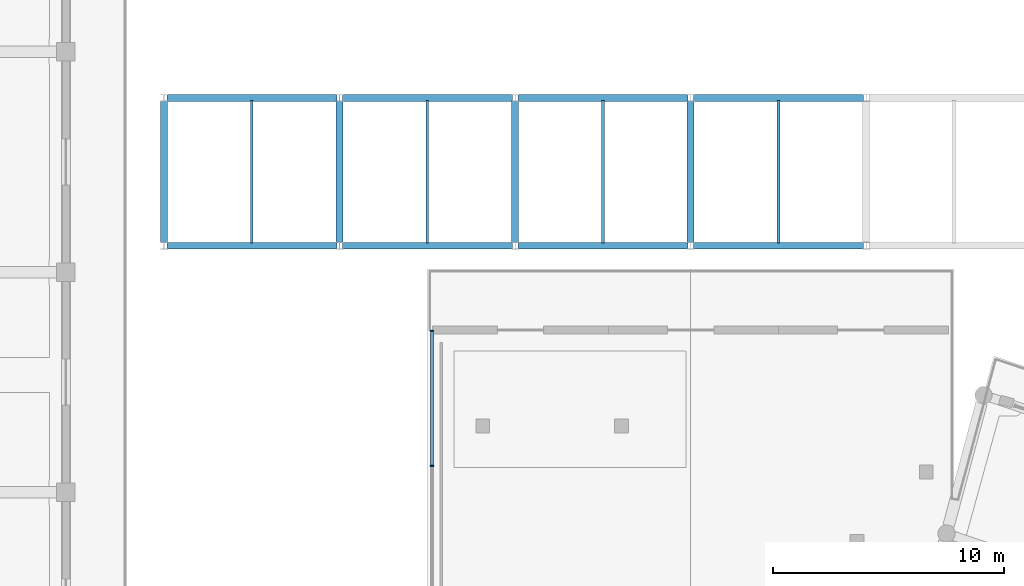
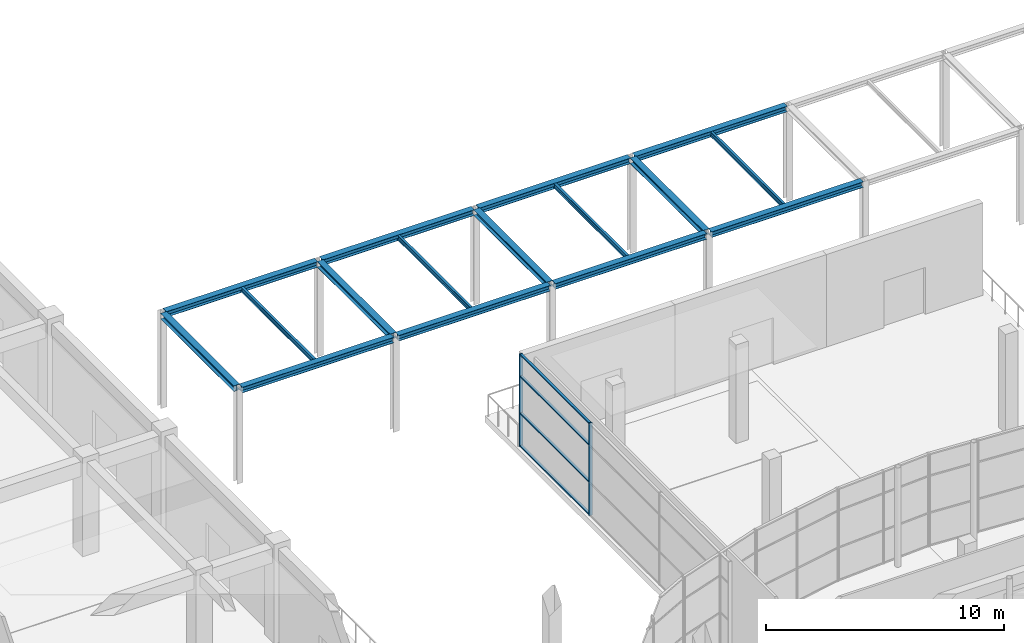
# One storey, part 51 of 99: 16 beams, 6 members, 1 element without a shape of its own.
"""IFC4 building model written with IfcOpenShell, lengths in metres."""

import ifcopenshell
import ifcopenshell.guid

model = None  # the IFC model being written
_history = None  # IfcOwnerHistory: only IFC2X3 demands one
_inside = {}  # id of a spatial element -> (the spatial element, [elements in it])
_under = {}  # id of a project, library or spatial element -> (it, [spatial elements below it])
_declared = {}  # id of a project -> (the project, [libraries it declares])
_typed = {}  # id of a type object -> (the type object, [elements of that type])
_made_of = {}  # id of a material, layer set ... -> (it, [elements and type objects made of it])


def new_model(schema):
    """Start an empty IFC model of exactly this schema.

    Asked for "IFC4X3", IfcOpenShell would pick the latest addendum, in which some entities
    have other attributes; the version numbers below select the first issue.
    IFC2X3 requires an IfcOwnerHistory on every rooted entity: one is made here for all.
    """
    global model, _history
    if schema == "IFC4X3":
        model = ifcopenshell.file(schema_version=(4, 3, 0, 0))
    else:
        model = ifcopenshell.file(schema=schema)
    _inside.clear()
    _under.clear()
    _declared.clear()
    _typed.clear()
    _made_of.clear()
    _history = None
    if model.schema == "IFC2X3":
        org = make("IfcOrganization", Name="unknown")
        user = make(
            "IfcPersonAndOrganization",
            ThePerson=make("IfcPerson", FamilyName="unknown"),
            TheOrganization=org,
        )
        app = make(
            "IfcApplication",
            ApplicationDeveloper=org,
            Version="unknown",
            ApplicationFullName="unknown",
            ApplicationIdentifier="unknown",
        )
        _history = make(
            "IfcOwnerHistory",
            OwningUser=user,
            OwningApplication=app,
            ChangeAction="ADDED",
            CreationDate=0,
        )
    return model


def make(cls, **values):
    """One entity of the class cls with the attributes given. An attribute that is None is left unset."""
    return model.create_entity(
        cls, **{name: value for name, value in values.items() if value is not None}
    )


def rooted(cls, **values):
    """An entity with a GlobalId (a new one), such as an element, a storey or a relation."""
    return make(cls, GlobalId=ifcopenshell.guid.new(), OwnerHistory=_history, **values)


def si_unit(unit_type, name, prefix=None):
    """IfcSIUnit, for example si_unit("LENGTHUNIT", "METRE", prefix="MILLI")."""
    return make("IfcSIUnit", UnitType=unit_type, Prefix=prefix, Name=name)


def assignment(units):
    """IfcUnitAssignment: the units of a project."""
    return None if units is None else make("IfcUnitAssignment", Units=units)


def point(xyz):
    """IfcCartesianPoint."""
    return None if xyz is None else make("IfcCartesianPoint", Coordinates=xyz)


def direction(xyz):
    """IfcDirection."""
    return None if xyz is None else make("IfcDirection", DirectionRatios=xyz)


def frame(location, z_axis=None, x_axis=None):
    """IfcAxis2Placement3D, a coordinate frame: its origin and axes. An axis left out is left unset."""
    return make(
        "IfcAxis2Placement3D",
        Location=point(location),
        Axis=direction(z_axis),
        RefDirection=direction(x_axis),
    )


def frame_2d(location, x_axis=None):
    """IfcAxis2Placement2D, a coordinate frame in the plane: its origin and x axis."""
    return make(
        "IfcAxis2Placement2D", Location=point(location), RefDirection=direction(x_axis)
    )


def origin():
    """The frame at (0, 0, 0) with its axes left unset."""
    return frame((0.0, 0.0, 0.0))


def origin_2d():
    """The frame at (0, 0) in the plane with its x axis left unset."""
    return frame_2d((0.0, 0.0))


def place(relative_to, where):
    """IfcLocalPlacement: puts the frame where relative to a parent placement (None: the world)."""
    return make(
        "IfcLocalPlacement", PlacementRelTo=relative_to, RelativePlacement=where
    )


def context(
    kind, dimensions, precision=None, world=None, true_north=None, identifier=None
):
    """IfcGeometricRepresentationContext, for example the 3D "Model" context."""
    return make(
        "IfcGeometricRepresentationContext",
        ContextIdentifier=identifier,
        ContextType=kind,
        CoordinateSpaceDimension=dimensions,
        Precision=precision,
        WorldCoordinateSystem=world,
        TrueNorth=true_north,
    )


def subcontext(parent, identifier, kind, view, scale=None):
    """IfcGeometricRepresentationSubContext, for example "Body" below "Model"."""
    return make(
        "IfcGeometricRepresentationSubContext",
        ContextIdentifier=identifier,
        ContextType=kind,
        ParentContext=parent,
        TargetScale=scale,
        TargetView=view,
    )


def project(units=None, contexts=None):
    """IfcProject with its units and contexts."""
    return rooted(
        "IfcProject",
        Name="project",
        RepresentationContexts=contexts,
        UnitsInContext=assignment(units),
    )


def spatial(cls, under=None, at=None, **own):
    """A site, building, storey or space (cls), placed at a placement, below another one or the project."""
    s = rooted(cls, ObjectPlacement=at, **own)
    if under is not None:
        _under.setdefault(under.id(), (under, []))[1].append(s)
    return s


def profile(cls, at=None, kind="AREA", **sizes):
    """A parametric profile (cls). Its sizes go by their IFC names, for example OverallWidth=200.0."""
    return make(cls, ProfileType=kind, Position=at, **sizes)


def rectangle(**sizes):
    """IfcRectangleProfileDef."""
    return profile("IfcRectangleProfileDef", **sizes)


def i_section(**sizes):
    """IfcIShapeProfileDef."""
    return profile("IfcIShapeProfileDef", **sizes)


def extrude(swept, where, along, depth):
    """IfcExtrudedAreaSolid: the profile swept, set in the frame where, extruded along a direction by depth."""
    return make(
        "IfcExtrudedAreaSolid",
        SweptArea=swept,
        Position=where,
        ExtrudedDirection=direction(along),
        Depth=depth,
    )


def shape(context_of_items, identifier, shape_type, items):
    """IfcShapeRepresentation: the items that make up one representation, for example the "Body"."""
    return make(
        "IfcShapeRepresentation",
        ContextOfItems=context_of_items,
        RepresentationIdentifier=identifier,
        RepresentationType=shape_type,
        Items=items,
    )


def material(Name=None, Category=None):
    """IfcMaterial."""
    return make("IfcMaterial", Name=Name, Category=Category)


def material_profile(
    of_material, cross_section, Name=None, Category=None, Priority=None
):
    """IfcMaterialProfile: a cross section and its material."""
    return make(
        "IfcMaterialProfile",
        Name=Name,
        Material=of_material,
        Profile=cross_section,
        Priority=Priority,
        Category=Category,
    )


def profile_set(profiles, Name=None, composite=None):
    """IfcMaterialProfileSet."""
    return make(
        "IfcMaterialProfileSet",
        Name=Name,
        MaterialProfiles=profiles,
        CompositeProfile=composite,
    )


def made_of(thing, what):
    """Note that an element or type object is made of a material, layer set ...; save() writes the relation."""
    if what is not None:
        _made_of.setdefault(what.id(), (what, []))[1].append(thing)
    return thing


def type_object(cls, material=None, **own):
    """A type object (cls), such as IfcWallType, which elements share."""
    return made_of(rooted(cls, **own), material)


def element(
    cls,
    number,
    at=None,
    inside=None,
    cuts=None,
    type_object=None,
    material=None,
    context=None,
    identifier="Body",
    shape_type=None,
    held_by="IfcProductDefinitionShape",
    body=None,
    shapes=None,
    **own,
):
    """One element of the class cls, such as IfcWall. Its Tag is "e" and its number.

    at: its placement. inside: the storey or other place that contains it. cuts: it is an
    opening in that element (IfcRelVoidsElement). A single representation is given by context,
    identifier, shape_type and body (its items); several are given by shapes. held_by: the class
    of the entity that holds the representations. save() writes the other relations.
    """
    e = rooted(cls, Tag="e%d" % number, ObjectPlacement=at, **own)
    if body is not None:
        shapes = [shape(context, identifier, shape_type, body)]
    if shapes is not None:
        e.Representation = make(held_by, Representations=shapes)
    if inside is not None:
        _inside.setdefault(inside.id(), (inside, []))[1].append(e)
    if cuts is not None:
        rooted(
            "IfcRelVoidsElement", RelatingBuildingElement=cuts, RelatedOpeningElement=e
        )
    if type_object is not None:
        _typed.setdefault(type_object.id(), (type_object, []))[1].append(e)
    return made_of(e, material)


def aggregate(whole, parts):
    """IfcRelAggregates: a whole, such as a stair, and the parts it consists of."""
    return rooted("IfcRelAggregates", RelatingObject=whole, RelatedObjects=parts)


def save(model, path):
    """Write the relations noted so far, then the file.

    IfcRelAggregates (storeys below a building ...), IfcRelContainedInSpatialStructure (elements
    in a storey), IfcRelDefinesByType, IfcRelAssociatesMaterial and IfcRelDeclares: one each for
    every whole, place, type object, material and project.
    """
    for whole, parts in _under.values():
        aggregate(whole, parts)
    for where, things in _inside.values():
        rooted(
            "IfcRelContainedInSpatialStructure",
            RelatedElements=things,
            RelatingStructure=where,
        )
    for kind, things in _typed.values():
        rooted("IfcRelDefinesByType", RelatedObjects=things, RelatingType=kind)
    for what, things in _made_of.values():
        rooted("IfcRelAssociatesMaterial", RelatedObjects=things, RelatingMaterial=what)
    for by, libraries in _declared.values():
        rooted("IfcRelDeclares", RelatingContext=by, RelatedDefinitions=libraries)
    model.write(path)


model = new_model("IFC4")

# Units and contexts
model_context = context("Model", 3, precision=1e-05, world=origin(), true_north=direction((0.0, 1.0)))
body_context = subcontext(model_context, "Body", "Model", "MODEL_VIEW")
ifc_project = project(units=[si_unit("LENGTHUNIT", "METRE"), si_unit("AREAUNIT", "SQUARE_METRE"), si_unit("VOLUMEUNIT", "CUBIC_METRE"), si_unit("PLANEANGLEUNIT", "RADIAN"), si_unit("MASSUNIT", "GRAM", prefix="KILO")], contexts=[model_context])

# Site, building, storey
site_placement = place(None, origin())
site = spatial("IfcSite", under=ifc_project, at=site_placement, CompositionType="ELEMENT")
building_placement = place(site_placement, origin())
building = spatial("IfcBuilding", under=site, at=building_placement, Name="Saryqyr Civic Hall", CompositionType="ELEMENT")
storey_placement = place(building_placement, origin())
storey = spatial("IfcBuildingStorey", under=building, at=storey_placement, Name="L00", CompositionType="ELEMENT", Elevation=0.0)

# Curtain wall, members
ifc_material_1 = material(Name="Anodised aluminium and triple low-E glass", Category="aluminium")
curtain_wall_type = type_object("IfcCurtainWallType", Name="ENV-CW-STD-65", PredefinedType="NOTDEFINED", material=ifc_material_1)
curtain_wall_placement = place(storey_placement, origin())
curtain_wall = element("IfcCurtainWall", 1, at=curtain_wall_placement, inside=storey, type_object=curtain_wall_type, Name="Curtain wall V2-VESTFLK-NW-L00", PredefinedType="NOTDEFINED")
ifc_material_2 = material(Name="Anodised aluminium", Category="aluminium")
ifc_material_profile_1 = material_profile(ifc_material_2, rectangle(XDim=0.06005859375, YDim=0.159912109375, at=origin_2d()), Name="ALU MULLION 60x160")
ifc_profile_set_1 = profile_set([ifc_material_profile_1], Name="Anodised aluminium")
member_type_1 = type_object("IfcMemberType", Name="ENV-CW-MUL-180", PredefinedType="MULLION", material=ifc_profile_set_1)
member_1_placement = place(storey_placement, frame((45.800048828125, 128.2666015625, 0.0), z_axis=(0.0, 0.0, 1.0), x_axis=(0.0, 1.0, 0.0)))
member_1 = element("IfcMember", 2, at=member_1_placement, type_object=member_type_1, Name="CW-65 mullion 3", PredefinedType="MULLION", context=body_context, shape_type="SweptSolid", body=[
    extrude(rectangle(XDim=0.06005859375, YDim=0.159912109375, at=origin_2d()), origin(), (0.0, 0.0, 1.0), 4.75),
])
member_2_placement = place(storey_placement, frame((45.800048828125, 134.1201171875, 0.0), z_axis=(0.0, 0.0, 1.0), x_axis=(0.0, 1.0, 0.0)))
member_2 = element("IfcMember", 3, at=member_2_placement, type_object=member_type_1, Name="CW-65 mullion 4", PredefinedType="MULLION", context=body_context, shape_type="SweptSolid", body=[
    extrude(rectangle(XDim=0.06005859375, YDim=0.159912109375, at=origin_2d()), origin(), (0.0, 0.0, 1.0), 4.75),
])
ifc_material_profile_2 = material_profile(ifc_material_2, rectangle(XDim=0.1201171875, YDim=0.06005859375, at=origin_2d()), Name="ALU TRANSOM 120x60")
ifc_profile_set_2 = profile_set([ifc_material_profile_2], Name="Anodised aluminium")
member_type_2 = type_object("IfcMemberType", Name="ENV-CW-TRN-150", PredefinedType="USERDEFINED", material=ifc_profile_set_2)
member_3_placement = place(storey_placement, frame((45.800048828125, 128.296630859375, 0.030029296875), z_axis=(0.0, 1.0, 0.0), x_axis=(-1.0, 0.0, 0.0)))
member_3 = element("IfcMember", 4, at=member_3_placement, type_object=member_type_2, Name="CW-65 transom 3.1", ObjectType="TRANSOM", PredefinedType="USERDEFINED", context=body_context, shape_type="SweptSolid", body=[
    extrude(rectangle(XDim=0.1201171875, YDim=0.06005859375, at=origin_2d()), origin(), (0.0, 0.0, 1.0), 5.79345703125),
])
member_4_placement = place(storey_placement, frame((45.800048828125, 128.296630859375, 1.7099609375), z_axis=(0.0, 1.0, 0.0), x_axis=(-1.0, 0.0, 0.0)))
member_4 = element("IfcMember", 5, at=member_4_placement, type_object=member_type_2, Name="CW-65 transom 3.2", ObjectType="TRANSOM", PredefinedType="USERDEFINED", context=body_context, shape_type="SweptSolid", body=[
    extrude(rectangle(XDim=0.1201171875, YDim=0.06005859375, at=origin_2d()), origin(), (0.0, 0.0, 1.0), 5.79345703125),
])
member_5_placement = place(storey_placement, frame((45.800048828125, 128.296630859375, 3.610107421875), z_axis=(0.0, 1.0, 0.0), x_axis=(-1.0, 0.0, 0.0)))
member_5 = element("IfcMember", 6, at=member_5_placement, type_object=member_type_2, Name="CW-65 transom 3.3", ObjectType="TRANSOM", PredefinedType="USERDEFINED", context=body_context, shape_type="SweptSolid", body=[
    extrude(rectangle(XDim=0.1201171875, YDim=0.06005859375, at=origin_2d()), origin(), (0.0, 0.0, 1.0), 5.79345703125),
])
member_6_placement = place(storey_placement, frame((45.800048828125, 128.296630859375, 4.719970703125), z_axis=(0.0, 1.0, 0.0), x_axis=(-1.0, 0.0, 0.0)))
member_6 = element("IfcMember", 7, at=member_6_placement, type_object=member_type_2, Name="CW-65 transom 3.4", ObjectType="TRANSOM", PredefinedType="USERDEFINED", context=body_context, shape_type="SweptSolid", body=[
    extrude(rectangle(XDim=0.1201171875, YDim=0.06005859375, at=origin_2d()), origin(), (0.0, 0.0, 1.0), 5.79345703125),
])
aggregate(curtain_wall, [member_1, member_2, member_3, member_4, member_5, member_6])

# Beams
ifc_material_3 = material(Name="Steel S355", Category="steel")
ifc_material_profile_3 = material_profile(ifc_material_3, i_section(OverallWidth=0.300048828125, OverallDepth=0.2900390625, WebThickness=0.008544921875, FlangeThickness=0.013916015625, at=origin_2d()), Name="HEA 300")
ifc_profile_set_3 = profile_set([ifc_material_profile_3], Name="Steel S355")
beam_type_1 = type_object("IfcBeamType", Name="STR-BM-HEA300", PredefinedType="BEAM", material=ifc_profile_set_3)
for number, where, z_axis, x_axis, name in (
    (8, (34.199951171875, 137.919921875, 4.7451171875), (0.0, 1.0, 0.0), (-1.0, 0.0, 0.0), "Beam V6A-BM-NS1"),
    (9, (41.800048828125, 137.919921875, 4.7451171875), (0.0, 1.0, 0.0), (-1.0, 0.0, 0.0), "Beam V6A-BM-NS2"),
    (10, (49.39990234375, 137.919921875, 4.7451171875), (0.0, 1.0, 0.0), (-1.0, 0.0, 0.0), "Beam V6A-BM-NS3"),
    (11, (57.0, 137.919921875, 4.7451171875), (0.0, 1.0, 0.0), (-1.0, 0.0, 0.0), "Beam V6A-BM-NS4"),
):
    element("IfcBeam", number, at=place(storey_placement, frame(where, z_axis=z_axis, x_axis=x_axis)), inside=storey, type_object=beam_type_1, Name=name, PredefinedType="BEAM", context=body_context, shape_type="SweptSolid", body=[
        extrude(i_section(OverallWidth=0.300048828125, OverallDepth=0.2900390625, WebThickness=0.008544921875, FlangeThickness=0.013916015625, at=origin_2d()), origin(), (0.0, 0.0, 1.0), 6.16015625),
    ])
for number, where, z_axis, x_axis, name in (
    (12, (34.320068359375, 137.800048828125, 4.7451171875), (1.0, 0.0, 0.0), (0.0, 1.0, 0.0), "Beam V6A-BM-EW11"),
    (13, (34.320068359375, 144.199951171875, 4.7451171875), (1.0, 0.0, 0.0), (0.0, 1.0, 0.0), "Beam V6A-BM-EW21"),
):
    element("IfcBeam", number, at=place(storey_placement, frame(where, z_axis=z_axis, x_axis=x_axis)), inside=storey, type_object=beam_type_1, Name=name, PredefinedType="BEAM", context=body_context, shape_type="SweptSolid", body=[
        extrude(i_section(OverallWidth=0.300048828125, OverallDepth=0.2900390625, WebThickness=0.008544921875, FlangeThickness=0.013916015625, at=origin_2d()), origin(), (0.0, 0.0, 1.0), 7.35986328125),
    ])
for number, where, z_axis, x_axis, name in (
    (14, (41.919921875, 137.800048828125, 4.7451171875), (1.0, 0.0, 0.0), (0.0, 1.0, 0.0), "Beam V6A-BM-EW12"),
    (15, (41.919921875, 144.199951171875, 4.7451171875), (1.0, 0.0, 0.0), (0.0, 1.0, 0.0), "Beam V6A-BM-EW22"),
):
    element("IfcBeam", number, at=place(storey_placement, frame(where, z_axis=z_axis, x_axis=x_axis)), inside=storey, type_object=beam_type_1, Name=name, PredefinedType="BEAM", context=body_context, shape_type="SweptSolid", body=[
        extrude(i_section(OverallWidth=0.300048828125, OverallDepth=0.2900390625, WebThickness=0.008544921875, FlangeThickness=0.013916015625, at=origin_2d()), origin(), (0.0, 0.0, 1.0), 7.360107421875),
    ])
for number, where, z_axis, x_axis, name in (
    (16, (49.52001953125, 137.800048828125, 4.7451171875), (1.0, 0.0, 0.0), (0.0, 1.0, 0.0), "Beam V6A-BM-EW13"),
    (17, (49.52001953125, 144.199951171875, 4.7451171875), (1.0, 0.0, 0.0), (0.0, 1.0, 0.0), "Beam V6A-BM-EW23"),
    (18, (57.1201171875, 137.800048828125, 4.7451171875), (1.0, 0.0, 0.0), (0.0, 1.0, 0.0), "Beam V6A-BM-EW14"),
    (19, (57.1201171875, 144.199951171875, 4.7451171875), (1.0, 0.0, 0.0), (0.0, 1.0, 0.0), "Beam V6A-BM-EW24"),
):
    element("IfcBeam", number, at=place(storey_placement, frame(where, z_axis=z_axis, x_axis=x_axis)), inside=storey, type_object=beam_type_1, Name=name, PredefinedType="BEAM", context=body_context, shape_type="SweptSolid", body=[
        extrude(i_section(OverallWidth=0.300048828125, OverallDepth=0.2900390625, WebThickness=0.008544921875, FlangeThickness=0.013916015625, at=origin_2d()), origin(), (0.0, 0.0, 1.0), 7.35986328125),
    ])
ifc_material_profile_4 = material_profile(ifc_material_3, i_section(OverallWidth=0.1201171875, OverallDepth=0.239990234375, WebThickness=0.006103515625, FlangeThickness=0.009765625, at=origin_2d()), Name="IPE 240")
ifc_profile_set_4 = profile_set([ifc_material_profile_4], Name="Steel S355")
beam_type_2 = type_object("IfcBeamType", Name="STR-JST-IPE240", PredefinedType="JOIST", material=ifc_profile_set_4)
for number, where, z_axis, x_axis, name in (
    (20, (38.0, 137.919921875, 4.77001953125), (0.0, 1.0, 0.0), (-1.0, 0.0, 0.0), "Beam V6A-JST-1"),
    (21, (45.60009765625, 137.919921875, 4.77001953125), (0.0, 1.0, 0.0), (-1.0, 0.0, 0.0), "Beam V6A-JST-2"),
    (22, (53.199951171875, 137.919921875, 4.77001953125), (0.0, 1.0, 0.0), (-1.0, 0.0, 0.0), "Beam V6A-JST-3"),
    (23, (60.800048828125, 137.919921875, 4.77001953125), (0.0, 1.0, 0.0), (-1.0, 0.0, 0.0), "Beam V6A-JST-4"),
):
    element("IfcBeam", number, at=place(storey_placement, frame(where, z_axis=z_axis, x_axis=x_axis)), inside=storey, type_object=beam_type_2, Name=name, PredefinedType="JOIST", context=body_context, shape_type="SweptSolid", body=[
        extrude(i_section(OverallWidth=0.1201171875, OverallDepth=0.239990234375, WebThickness=0.006103515625, FlangeThickness=0.009765625, at=origin_2d()), origin(), (0.0, 0.0, 1.0), 6.16015625),
    ])

save(model, "model.ifc")
